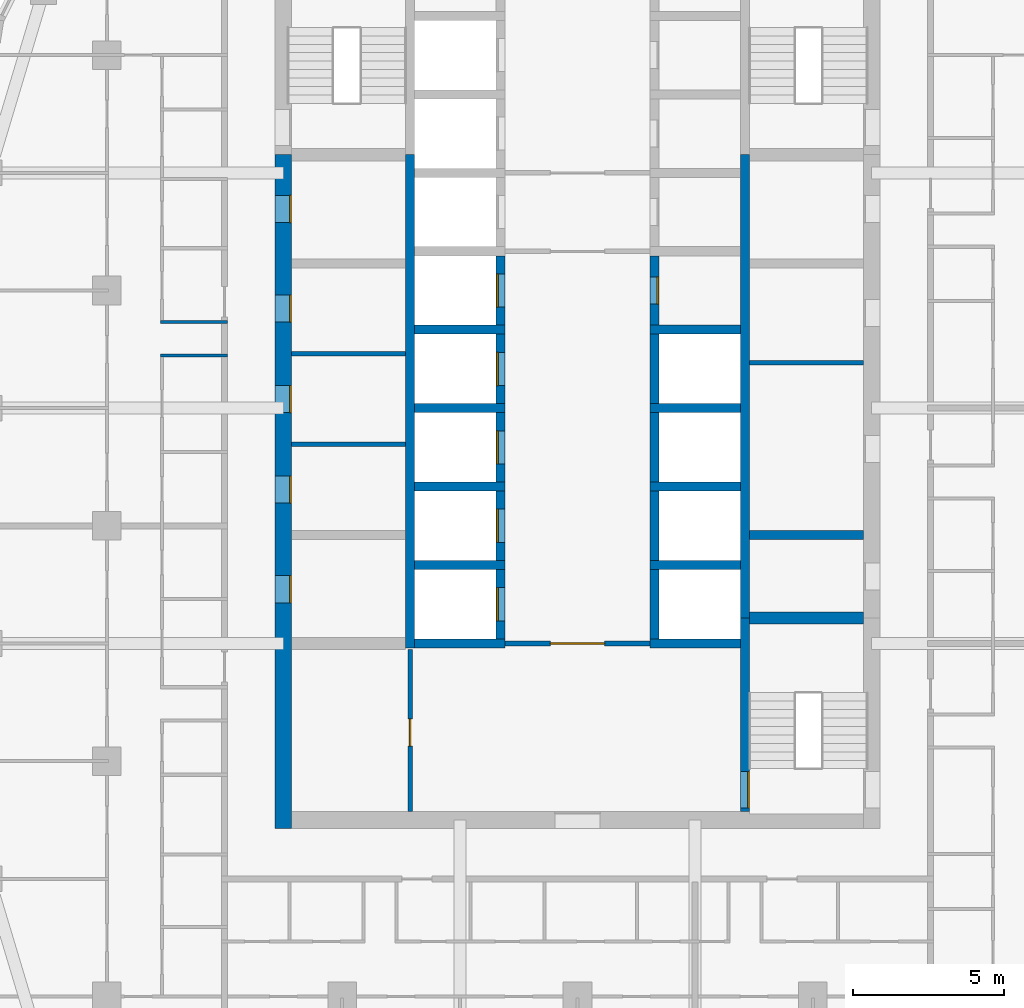
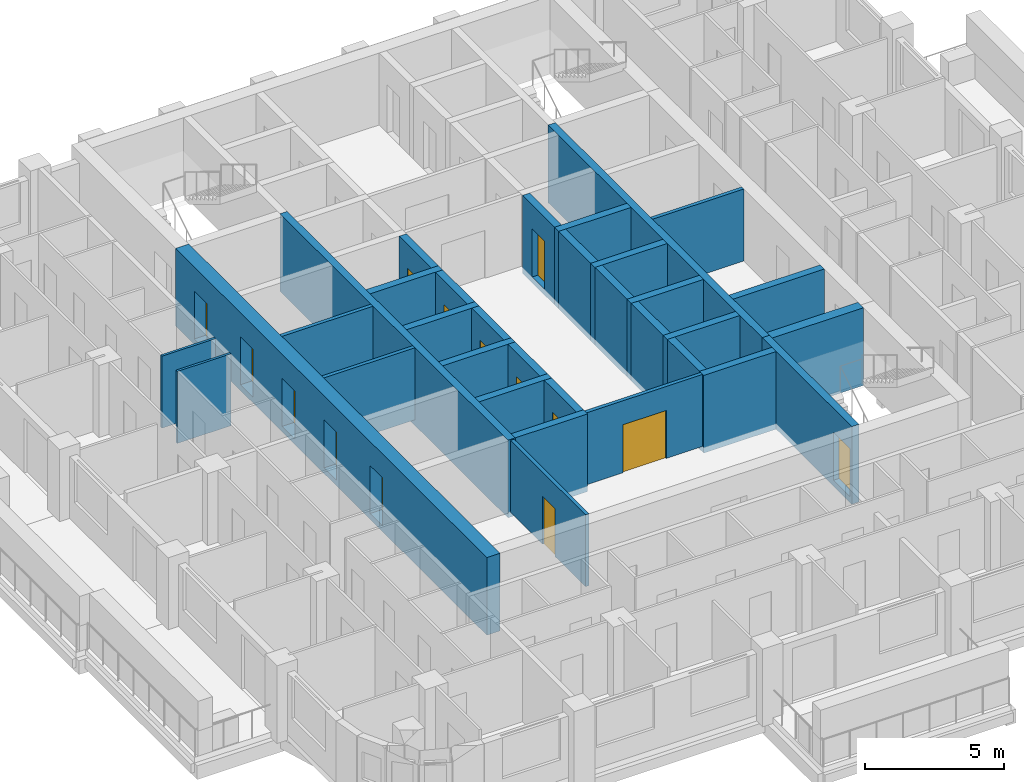
# One storey, part 5 of 14: 33 walls, 14 doors, 14 openings.
"""IFC4 building model written with IfcOpenShell, lengths in metres."""

from ifc_helpers import new_model, si_unit, direction, frame, frame_2d, origin, place, context, subcontext, project, spatial, rectangle, extrude, material, layer, layer_set, type_object, element, fill, save


model = new_model("IFC4")

# Units and contexts
model_context = context("Model", 3, precision=1e-05, world=origin(), true_north=direction((0.0, 1.0)))
body_context = subcontext(model_context, "Body", "Model", "MODEL_VIEW")
ifc_project = project(units=[si_unit("LENGTHUNIT", "METRE"), si_unit("AREAUNIT", "SQUARE_METRE"), si_unit("VOLUMEUNIT", "CUBIC_METRE"), si_unit("PLANEANGLEUNIT", "RADIAN"), si_unit("MASSUNIT", "GRAM", prefix="KILO")], contexts=[model_context])

# Site, building, storey
site_placement = place(None, origin())
site = spatial("IfcSite", under=ifc_project, at=site_placement, CompositionType="ELEMENT")
building_placement = place(site_placement, origin())
building = spatial("IfcBuilding", under=site, at=building_placement, Name="Ludao Terraces", CompositionType="ELEMENT")
storey_placement = place(building_placement, frame((0.0, 0.0, 103.300048828125)))
storey = spatial("IfcBuildingStorey", under=building, at=storey_placement, Name="L28", CompositionType="ELEMENT", Elevation=103.300048828125)

# Wall, openings, doors
ifc_material_1 = material(Name="Concrete C60", Category="concrete")
ifc_layer_1 = layer(ifc_material_1, 0.550048828125)
ifc_layer_set_1 = layer_set([ifc_layer_1], Name="Core wall 550 C60")
wall_type_1 = type_object("IfcWallType", Name="Core wall 550 C60", PredefinedType="SOLIDWALL", material=ifc_layer_set_1)
wall_1_placement = place(storey_placement, frame((75.25, 54.97509765625, -0.25), z_axis=(0.0, 0.0, 1.0), x_axis=(0.0, 1.0, 0.0)))
wall_1 = element("IfcWall", 1, at=wall_1_placement, inside=storey, type_object=wall_type_1, Name="Core wall L28 outer-W", PredefinedType="SOLIDWALL", context=body_context, shape_type="SweptSolid", body=[
    extrude(rectangle(XDim=22.324951171875, YDim=0.550048828125, at=frame_2d((11.16259765625, 0.0))), origin(), (0.0, 0.0, 1.0), 3.39990234375),
])
opening_1_placement = place(wall_1_placement, frame((7.47509765625, 0.0, 0.25)))
opening_1 = element("IfcOpeningElement", 2, at=opening_1_placement, cuts=wall_1, Name="Opening R08-046", PredefinedType="OPENING", context=body_context, shape_type="SweptSolid", body=[
    extrude(rectangle(XDim=0.89990234375, YDim=2.10009765625, at=frame_2d((0.449951171875, 1.050048828125))), frame((0.0, 0.28515625, 0.0), z_axis=(0.0, -1.0, 0.0), x_axis=(1.0, 0.0, 0.0)), (0.0, 0.0, 1.0), 0.570068359375),
])
opening_2_placement = place(wall_1_placement, frame((10.77490234375, 0.0, 0.25)))
opening_2 = element("IfcOpeningElement", 3, at=opening_2_placement, cuts=wall_1, Name="Opening R08-053", PredefinedType="OPENING", context=body_context, shape_type="SweptSolid", body=[
    extrude(rectangle(XDim=0.89990234375, YDim=2.10009765625, at=frame_2d((0.449951171875, 1.050048828125))), frame((0.0, 0.28515625, 0.0), z_axis=(0.0, -1.0, 0.0), x_axis=(1.0, 0.0, 0.0)), (0.0, 0.0, 1.0), 0.570068359375),
])
opening_3_placement = place(wall_1_placement, frame((13.77490234375, 0.0, 0.25)))
opening_3 = element("IfcOpeningElement", 4, at=opening_3_placement, cuts=wall_1, Name="Opening R08-062", PredefinedType="OPENING", context=body_context, shape_type="SweptSolid", body=[
    extrude(rectangle(XDim=0.89990234375, YDim=2.10009765625, at=frame_2d((0.449951171875, 1.050048828125))), frame((0.0, 0.28515625, 0.0), z_axis=(0.0, -1.0, 0.0), x_axis=(1.0, 0.0, 0.0)), (0.0, 0.0, 1.0), 0.570068359375),
])
opening_4_placement = place(wall_1_placement, frame((16.77490234375, 0.0, 0.25)))
opening_4 = element("IfcOpeningElement", 5, at=opening_4_placement, cuts=wall_1, Name="Opening R08-068", PredefinedType="OPENING", context=body_context, shape_type="SweptSolid", body=[
    extrude(rectangle(XDim=0.89990234375, YDim=2.10009765625, at=frame_2d((0.449951171875, 1.050048828125))), frame((0.0, 0.28515625, 0.0), z_axis=(0.0, -1.0, 0.0), x_axis=(1.0, 0.0, 0.0)), (0.0, 0.0, 1.0), 0.570068359375),
])
opening_5_placement = place(wall_1_placement, frame((20.074951171875, 0.0, 0.25)))
opening_5 = element("IfcOpeningElement", 6, at=opening_5_placement, cuts=wall_1, Name="Opening R08-080", PredefinedType="OPENING", context=body_context, shape_type="SweptSolid", body=[
    extrude(rectangle(XDim=0.89990234375, YDim=2.10009765625, at=frame_2d((0.449951171875, 1.050048828125))), frame((0.0, 0.28515625, 0.0), z_axis=(0.0, -1.0, 0.0), x_axis=(1.0, 0.0, 0.0)), (0.0, 0.0, 1.0), 0.570068359375),
])
ifc_material_2 = material(Name="Steel Q235", Category="steel")
door_type_1 = type_object("IfcDoorType", Name="INT Riser door 900", OperationType="SINGLE_SWING_LEFT", PredefinedType="DOOR", material=ifc_material_2)
door_1_placement = place(opening_1_placement, origin())
door_1 = element("IfcDoor", 7, at=door_1_placement, inside=storey, type_object=door_type_1, Name="DOOR 046", OperationType="SINGLE_SWING_RIGHT", OverallHeight=2.10009765625, OverallWidth=0.89990234375, PredefinedType="DOOR", context=body_context, shape_type="SweptSolid", body=[
    extrude(rectangle(XDim=0.89990234375, YDim=2.10009765625, at=frame_2d((0.449951171875, 1.050048828125))), frame((0.0, -0.2099609375, 0.0), z_axis=(0.0, -1.0, 0.0), x_axis=(1.0, 0.0, 0.0)), (0.0, 0.0, 1.0), 0.050048828125),
])
fill(opening_1, door_1)
door_2_placement = place(opening_5_placement, origin())
door_2 = element("IfcDoor", 8, at=door_2_placement, inside=storey, type_object=door_type_1, Name="DOOR 080", OperationType="SINGLE_SWING_LEFT", OverallHeight=2.10009765625, OverallWidth=0.89990234375, PredefinedType="DOOR", context=body_context, shape_type="SweptSolid", body=[
    extrude(rectangle(XDim=0.89990234375, YDim=2.10009765625, at=frame_2d((0.449951171875, 1.050048828125))), frame((0.0, -0.2099609375, 0.0), z_axis=(0.0, -1.0, 0.0), x_axis=(1.0, 0.0, 0.0)), (0.0, 0.0, 1.0), 0.050048828125),
])
fill(opening_5, door_2)
ifc_material_3 = material(Name="Timber door leaf", Category="wood")
door_type_2 = type_object("IfcDoorType", Name="INT Room door 900", OperationType="SINGLE_SWING_LEFT", PredefinedType="DOOR", material=ifc_material_3)
door_3_placement = place(opening_2_placement, origin())
door_3 = element("IfcDoor", 9, at=door_3_placement, inside=storey, type_object=door_type_2, Name="DOOR 053", OperationType="SINGLE_SWING_RIGHT", OverallHeight=2.10009765625, OverallWidth=0.89990234375, PredefinedType="DOOR", context=body_context, shape_type="SweptSolid", body=[
    extrude(rectangle(XDim=0.89990234375, YDim=2.10009765625, at=frame_2d((0.449951171875, 1.050048828125))), frame((0.0, -0.2099609375, 0.0), z_axis=(0.0, -1.0, 0.0), x_axis=(1.0, 0.0, 0.0)), (0.0, 0.0, 1.0), 0.050048828125),
])
fill(opening_2, door_3)
door_4_placement = place(opening_3_placement, origin())
door_4 = element("IfcDoor", 10, at=door_4_placement, inside=storey, type_object=door_type_2, Name="DOOR 062", OperationType="SINGLE_SWING_LEFT", OverallHeight=2.10009765625, OverallWidth=0.89990234375, PredefinedType="DOOR", context=body_context, shape_type="SweptSolid", body=[
    extrude(rectangle(XDim=0.89990234375, YDim=2.10009765625, at=frame_2d((0.449951171875, 1.050048828125))), frame((0.0, -0.2099609375, 0.0), z_axis=(0.0, -1.0, 0.0), x_axis=(1.0, 0.0, 0.0)), (0.0, 0.0, 1.0), 0.050048828125),
])
fill(opening_3, door_4)
door_5_placement = place(opening_4_placement, origin())
door_5 = element("IfcDoor", 11, at=door_5_placement, inside=storey, type_object=door_type_2, Name="DOOR 068", OperationType="SINGLE_SWING_LEFT", OverallHeight=2.10009765625, OverallWidth=0.89990234375, PredefinedType="DOOR", context=body_context, shape_type="SweptSolid", body=[
    extrude(rectangle(XDim=0.89990234375, YDim=2.10009765625, at=frame_2d((0.449951171875, 1.050048828125))), frame((0.0, -0.2099609375, 0.0), z_axis=(0.0, -1.0, 0.0), x_axis=(1.0, 0.0, 0.0)), (0.0, 0.0, 1.0), 0.050048828125),
])
fill(opening_4, door_5)

# Wall, opening, door
ifc_material_4 = material(Name="Fire-rated gypsum plasterboard", Category="gypsum")
ifc_layer_2 = layer(ifc_material_4, 0.012451171875, Category="gypsum")
ifc_material_5 = material(Name="Mineral wool")
ifc_layer_3 = layer(ifc_material_5, 0.10009765625, Name="insulation")
ifc_layer_4 = layer(ifc_material_2, 0.02490234375, Name="stud")
ifc_layer_5 = layer(ifc_material_4, 0.012451171875, Category="gypsum")
ifc_layer_set_2 = layer_set([ifc_layer_2, ifc_layer_3, ifc_layer_4, ifc_layer_5], Name="INT Core partition 150")
wall_type_2 = type_object("IfcWallType", Name="INT Core partition 150", PredefinedType="PARTITIONING", material=ifc_layer_set_2)
wall_2_placement = place(storey_placement, frame((82.60009765625, 61.10009765625, 0.0), z_axis=(0.0, 0.0, 1.0), x_axis=(1.0, 0.0, 0.0)))
wall_2 = element("IfcWall", 12, at=wall_2_placement, inside=storey, type_object=wall_type_2, Name="PW-L28-PW019", PredefinedType="PARTITIONING", context=body_context, shape_type="SweptSolid", body=[
    extrude(rectangle(XDim=4.800048828125, YDim=0.14990234375, at=frame_2d((2.39990234375, 0.0))), origin(), (0.0, 0.0, 1.0), 3.14990234375),
])
opening_6_placement = place(wall_2_placement, frame((1.5, 0.0, 0.0)))
opening_6 = element("IfcOpeningElement", 13, at=opening_6_placement, cuts=wall_2, Name="Opening R08-042", PredefinedType="OPENING", context=body_context, shape_type="SweptSolid", body=[
    extrude(rectangle(XDim=1.800048828125, YDim=2.10009765625, at=frame_2d((0.89990234375, 1.050048828125))), frame((0.0, 0.0849609375, 0.0), z_axis=(0.0, -1.0, 0.0), x_axis=(1.0, 0.0, 0.0)), (0.0, 0.0, 1.0), 0.169921875),
])
door_type_3 = type_object("IfcDoorType", Name="INT Fire lobby door 1800", OperationType="DOUBLE_DOOR_SINGLE_SWING", PredefinedType="DOOR", material=ifc_material_2)
door_6_placement = place(opening_6_placement, origin())
door_6 = element("IfcDoor", 14, at=door_6_placement, inside=storey, type_object=door_type_3, Name="DOOR 042", OperationType="DOUBLE_DOOR_SINGLE_SWING", OverallHeight=2.10009765625, OverallWidth=1.800048828125, PredefinedType="DOOR", context=body_context, shape_type="SweptSolid", body=[
    extrude(rectangle(XDim=1.800048828125, YDim=2.10009765625, at=frame_2d((0.89990234375, 1.050048828125))), frame((0.0, 0.02490234375, 0.0), z_axis=(0.0, -1.0, 0.0), x_axis=(1.0, 0.0, 0.0)), (0.0, 0.0, 1.0), 0.050048828125),
])
fill(opening_6, door_6)

# Walls
for number, where, z_axis, x_axis, name in (
    (15, (75.525146484375, 67.699951171875, 0.0), (0.0, 0.0, 1.0), (1.0, 0.0, 0.0), "PW-L28-PW028"),
    (16, (90.7001953125, 70.39990234375, 0.0), (0.0, 0.0, 1.0), (1.0, 0.0, 0.0), "PW-L28-PW031"),
    (17, (75.525146484375, 70.699951171875, 0.0), (0.0, 0.0, 1.0), (1.0, 0.0, 0.0), "PW-L28-PW033"),
):
    element("IfcWall", number, at=place(storey_placement, frame(where, z_axis=z_axis, x_axis=x_axis)), inside=storey, type_object=wall_type_2, Name=name, PredefinedType="PARTITIONING", context=body_context, shape_type="SweptSolid", body=[
        extrude(rectangle(XDim=3.77490234375, YDim=0.14990234375, at=frame_2d((1.887451171875, 0.0))), origin(), (0.0, 0.0, 1.0), 3.14990234375),
    ])

# Wall, opening, door
wall_3_placement = place(storey_placement, frame((79.449951171875, 55.525146484375, 0.0), z_axis=(0.0, 0.0, 1.0), x_axis=(0.0, 1.0, 0.0)))
wall_3 = element("IfcWall", 18, at=wall_3_placement, inside=storey, type_object=wall_type_2, Name="PW-L28-PW060", PredefinedType="PARTITIONING", context=body_context, shape_type="SweptSolid", body=[
    extrude(rectangle(XDim=5.375, YDim=0.14990234375, at=frame_2d((2.6875, 0.0))), origin(), (0.0, 0.0, 1.0), 3.14990234375),
])
opening_7_placement = place(wall_3_placement, frame((2.175048828125, 0.0, 0.0)))
opening_7 = element("IfcOpeningElement", 19, at=opening_7_placement, cuts=wall_3, Name="Opening R08-036", PredefinedType="OPENING", context=body_context, shape_type="SweptSolid", body=[
    extrude(rectangle(XDim=0.89990234375, YDim=2.10009765625, at=frame_2d((0.449951171875, 1.050048828125))), frame((0.0, 0.0849609375, 0.0), z_axis=(0.0, -1.0, 0.0), x_axis=(1.0, 0.0, 0.0)), (0.0, 0.0, 1.0), 0.169921875),
])
door_7_placement = place(opening_7_placement, origin())
door_7 = element("IfcDoor", 20, at=door_7_placement, inside=storey, type_object=door_type_2, Name="DOOR 036", OperationType="SINGLE_SWING_LEFT", OverallHeight=2.10009765625, OverallWidth=0.89990234375, PredefinedType="DOOR", context=body_context, shape_type="SweptSolid", body=[
    extrude(rectangle(XDim=0.89990234375, YDim=2.10009765625, at=frame_2d((0.449951171875, 1.050048828125))), frame((0.0, 0.02490234375, 0.0), z_axis=(0.0, -1.0, 0.0), x_axis=(1.0, 0.0, 0.0)), (0.0, 0.0, 1.0), 0.050048828125),
])
fill(opening_7, door_7)

# Walls
ifc_material_6 = material(Name="Gypsum plasterboard", Category="gypsum")
ifc_layer_6 = layer(ifc_material_6, 0.012451171875, Category="gypsum")
ifc_layer_7 = layer(ifc_material_5, 0.06005859375, Name="insulation")
ifc_layer_8 = layer(ifc_material_2, 0.014892578125, Name="stud")
ifc_layer_9 = layer(ifc_material_6, 0.012451171875, Category="gypsum")
ifc_layer_set_3 = layer_set([ifc_layer_6, ifc_layer_7, ifc_layer_8, ifc_layer_9], Name="INT Partition 100")
wall_type_3 = type_object("IfcWallType", Name="INT Partition 100", PredefinedType="PARTITIONING", material=ifc_layer_set_3)
for number, where, z_axis, x_axis, name in (
    (21, (71.18017578125, 70.64990234375, 0.0), (0.0, 0.0, 1.0), (1.0, 0.0, 0.0), "PW-L28-PW032"),
    (22, (71.18017578125, 71.75, 0.0), (0.0, 0.0, 1.0), (1.0, 0.0, 0.0), "PW-L28-PW034"),
):
    element("IfcWall", number, at=place(storey_placement, frame(where, z_axis=z_axis, x_axis=x_axis)), inside=storey, type_object=wall_type_3, Name=name, PredefinedType="PARTITIONING", context=body_context, shape_type="SweptSolid", body=[
        extrude(rectangle(XDim=2.219970703125, YDim=0.10009765625, at=frame_2d((1.10986328125, 0.0))), origin(), (0.0, 0.0, 1.0), 3.14990234375),
    ])
ifc_material_7 = material(Name="Concrete C55", Category="concrete")
ifc_layer_10 = layer(ifc_material_7, 0.300048828125)
ifc_layer_set_4 = layer_set([ifc_layer_10], Name="Shaft wall 300 C55")
wall_type_4 = type_object("IfcWallType", Name="Shaft wall 300 C55", PredefinedType="SOLIDWALL", material=ifc_layer_set_4)
wall_4_placement = place(storey_placement, frame((79.449951171875, 60.949951171875, -0.25), z_axis=(0.0, 0.0, 1.0), x_axis=(0.0, 1.0, 0.0)))
element("IfcWall", 23, at=wall_4_placement, inside=storey, type_object=wall_type_4, Name="Core wall L28 back-W", PredefinedType="SOLIDWALL", context=body_context, shape_type="SweptSolid", body=[
    extrude(rectangle(XDim=16.35009765625, YDim=0.300048828125, at=frame_2d((8.175048828125, 0.0))), origin(), (0.0, 0.0, 1.0), 3.39990234375),
])

# Wall, opening, door
wall_5_placement = place(storey_placement, frame((90.550048828125, 55.52490234375, -0.25), z_axis=(0.0, 0.0, 1.0), x_axis=(0.0, 1.0, 0.0)))
wall_5 = element("IfcWall", 24, at=wall_5_placement, inside=storey, type_object=wall_type_4, Name="Core wall L28 back-E-S3", PredefinedType="SOLIDWALL", context=body_context, shape_type="SweptSolid", body=[
    extrude(rectangle(XDim=6.425048828125, YDim=0.300048828125, at=frame_2d((3.21240234375, 0.0))), origin(), (0.0, 0.0, 1.0), 3.39990234375),
])
opening_8_placement = place(wall_5_placement, frame((0.125, 0.0, 0.25)))
opening_8 = element("IfcOpeningElement", 25, at=opening_8_placement, cuts=wall_5, Name="Opening R08-033", PredefinedType="OPENING", context=body_context, shape_type="SweptSolid", body=[
    extrude(rectangle(XDim=1.199951171875, YDim=2.10009765625, at=frame_2d((0.60009765625, 1.050048828125))), frame((0.0, 0.16015625, 0.0), z_axis=(0.0, -1.0, 0.0), x_axis=(1.0, 0.0, 0.0)), (0.0, 0.0, 1.0), 0.320068359375),
])
door_type_4 = type_object("IfcDoorType", Name="INT Stair door 1200", OperationType="DOUBLE_DOOR_SINGLE_SWING", PredefinedType="DOOR", material=ifc_material_2)
door_8_placement = place(opening_8_placement, origin())
door_8 = element("IfcDoor", 26, at=door_8_placement, inside=storey, type_object=door_type_4, Name="DOOR 033", OperationType="DOUBLE_DOOR_SINGLE_SWING", OverallHeight=2.10009765625, OverallWidth=1.199951171875, PredefinedType="DOOR", context=body_context, shape_type="SweptSolid", body=[
    extrude(rectangle(XDim=1.199951171875, YDim=2.10009765625, at=frame_2d((0.60009765625, 1.050048828125))), frame((0.0, -0.0849609375, 0.0), z_axis=(0.0, -1.0, 0.0), x_axis=(1.0, 0.0, 0.0)), (0.0, 0.0, 1.0), 0.050048828125),
])
fill(opening_8, door_8)

# Walls
wall_6_placement = place(storey_placement, frame((90.550048828125, 61.949951171875, -0.25), z_axis=(0.0, 0.0, 1.0), x_axis=(0.0, 1.0, 0.0)))
element("IfcWall", 27, at=wall_6_placement, inside=storey, type_object=wall_type_4, Name="Core wall L28 back-E", PredefinedType="SOLIDWALL", context=body_context, shape_type="SweptSolid", body=[
    extrude(rectangle(XDim=15.35009765625, YDim=0.300048828125, at=frame_2d((7.675048828125, 0.0))), origin(), (0.0, 0.0, 1.0), 3.39990234375),
])
wall_7_placement = place(storey_placement, frame((79.60009765625, 61.10009765625, -0.25), z_axis=(0.0, 0.0, 1.0), x_axis=(1.0, 0.0, 0.0)))
element("IfcWall", 28, at=wall_7_placement, inside=storey, type_object=wall_type_4, Name="Core wall L28 div-W1", PredefinedType="SOLIDWALL", context=body_context, shape_type="SweptSolid", body=[
    extrude(rectangle(XDim=3.0, YDim=0.300048828125, at=frame_2d((1.5, 0.0))), origin(), (0.0, 0.0, 1.0), 3.39990234375),
])

# Wall, opening, door
wall_8_placement = place(storey_placement, frame((82.449951171875, 61.25, -0.25), z_axis=(0.0, 0.0, 1.0), x_axis=(0.0, 1.0, 0.0)))
wall_8 = element("IfcWall", 29, at=wall_8_placement, inside=storey, type_object=wall_type_4, Name="Core wall L28 front-W1", PredefinedType="SOLIDWALL", context=body_context, shape_type="SweptSolid", body=[
    extrude(rectangle(XDim=2.300048828125, YDim=0.300048828125, at=frame_2d((1.14990234375, 0.0))), origin(), (0.0, 0.0, 1.0), 3.39990234375),
])
opening_9_placement = place(wall_8_placement, frame((0.60009765625, 0.0, 0.25)))
opening_9 = element("IfcOpeningElement", 30, at=opening_9_placement, cuts=wall_8, Name="Opening LD-LA1", PredefinedType="OPENING", context=body_context, shape_type="SweptSolid", body=[
    extrude(rectangle(XDim=1.10009765625, YDim=2.10009765625, at=frame_2d((0.550048828125, 1.050048828125))), frame((0.0, 0.16015625, 0.0), z_axis=(0.0, -1.0, 0.0), x_axis=(1.0, 0.0, 0.0)), (0.0, 0.0, 1.0), 0.320068359375),
])
ifc_material_8 = material(Name="Stainless steel 304", Category="steel")
door_type_5 = type_object("IfcDoorType", Name="INT Lift landing door 1100", OperationType="SLIDING_TO_LEFT", PredefinedType="DOOR", material=ifc_material_8)
door_9_placement = place(opening_9_placement, origin())
door_9 = element("IfcDoor", 31, at=door_9_placement, inside=storey, type_object=door_type_5, Name="LANDING DOOR LA1 L28", OperationType="SLIDING_TO_RIGHT", OverallHeight=2.10009765625, OverallWidth=1.10009765625, PredefinedType="DOOR", context=body_context, shape_type="SweptSolid", body=[
    extrude(rectangle(XDim=1.10009765625, YDim=2.10009765625, at=frame_2d((0.550048828125, 1.050048828125))), frame((0.0, 0.13525390625, 0.0), z_axis=(0.0, -1.0, 0.0), x_axis=(1.0, 0.0, 0.0)), (0.0, 0.0, 1.0), 0.050048828125),
])
fill(opening_9, door_9)

# Wall
wall_9_placement = place(storey_placement, frame((79.60009765625, 63.699951171875, -0.25), z_axis=(0.0, 0.0, 1.0), x_axis=(1.0, 0.0, 0.0)))
element("IfcWall", 32, at=wall_9_placement, inside=storey, type_object=wall_type_4, Name="Core wall L28 div-W2", PredefinedType="SOLIDWALL", context=body_context, shape_type="SweptSolid", body=[
    extrude(rectangle(XDim=3.0, YDim=0.300048828125, at=frame_2d((1.5, 0.0))), origin(), (0.0, 0.0, 1.0), 3.39990234375),
])

# Wall, opening, door
wall_10_placement = place(storey_placement, frame((82.449951171875, 63.85009765625, -0.25), z_axis=(0.0, 0.0, 1.0), x_axis=(0.0, 1.0, 0.0)))
wall_10 = element("IfcWall", 33, at=wall_10_placement, inside=storey, type_object=wall_type_4, Name="Core wall L28 front-W2", PredefinedType="SOLIDWALL", context=body_context, shape_type="SweptSolid", body=[
    extrude(rectangle(XDim=2.2998046875, YDim=0.300048828125, at=frame_2d((1.14990234375, 0.0))), origin(), (0.0, 0.0, 1.0), 3.39990234375),
])
opening_10_placement = place(wall_10_placement, frame((0.60009765625, 0.0, 0.25)))
opening_10 = element("IfcOpeningElement", 34, at=opening_10_placement, cuts=wall_10, Name="Opening LD-LA2", PredefinedType="OPENING", context=body_context, shape_type="SweptSolid", body=[
    extrude(rectangle(XDim=1.10009765625, YDim=2.10009765625, at=frame_2d((0.550048828125, 1.050048828125))), frame((0.0, 0.16015625, 0.0), z_axis=(0.0, -1.0, 0.0), x_axis=(1.0, 0.0, 0.0)), (0.0, 0.0, 1.0), 0.320068359375),
])
door_10_placement = place(opening_10_placement, origin())
door_10 = element("IfcDoor", 35, at=door_10_placement, inside=storey, type_object=door_type_5, Name="LANDING DOOR LA2 L28", OperationType="SLIDING_TO_RIGHT", OverallHeight=2.10009765625, OverallWidth=1.10009765625, PredefinedType="DOOR", context=body_context, shape_type="SweptSolid", body=[
    extrude(rectangle(XDim=1.10009765625, YDim=2.10009765625, at=frame_2d((0.550048828125, 1.050048828125))), frame((0.0, 0.13525390625, 0.0), z_axis=(0.0, -1.0, 0.0), x_axis=(1.0, 0.0, 0.0)), (0.0, 0.0, 1.0), 0.050048828125),
])
fill(opening_10, door_10)

# Wall
wall_11_placement = place(storey_placement, frame((79.60009765625, 66.300048828125, -0.25), z_axis=(0.0, 0.0, 1.0), x_axis=(1.0, 0.0, 0.0)))
element("IfcWall", 36, at=wall_11_placement, inside=storey, type_object=wall_type_4, Name="Core wall L28 div-W3", PredefinedType="SOLIDWALL", context=body_context, shape_type="SweptSolid", body=[
    extrude(rectangle(XDim=3.0, YDim=0.300048828125, at=frame_2d((1.5, 0.0))), origin(), (0.0, 0.0, 1.0), 3.39990234375),
])

# Wall, opening, door
wall_12_placement = place(storey_placement, frame((82.449951171875, 66.449951171875, -0.25), z_axis=(0.0, 0.0, 1.0), x_axis=(0.0, 1.0, 0.0)))
wall_12 = element("IfcWall", 37, at=wall_12_placement, inside=storey, type_object=wall_type_4, Name="Core wall L28 front-W3", PredefinedType="SOLIDWALL", context=body_context, shape_type="SweptSolid", body=[
    extrude(rectangle(XDim=2.300048828125, YDim=0.300048828125, at=frame_2d((1.14990234375, 0.0))), origin(), (0.0, 0.0, 1.0), 3.39990234375),
])
opening_11_placement = place(wall_12_placement, frame((0.60009765625, 0.0, 0.25)))
opening_11 = element("IfcOpeningElement", 38, at=opening_11_placement, cuts=wall_12, Name="Opening LD-LA3", PredefinedType="OPENING", context=body_context, shape_type="SweptSolid", body=[
    extrude(rectangle(XDim=1.10009765625, YDim=2.10009765625, at=frame_2d((0.550048828125, 1.050048828125))), frame((0.0, 0.16015625, 0.0), z_axis=(0.0, -1.0, 0.0), x_axis=(1.0, 0.0, 0.0)), (0.0, 0.0, 1.0), 0.320068359375),
])
door_11_placement = place(opening_11_placement, origin())
door_11 = element("IfcDoor", 39, at=door_11_placement, inside=storey, type_object=door_type_5, Name="LANDING DOOR LA3 L28", OperationType="SLIDING_TO_RIGHT", OverallHeight=2.10009765625, OverallWidth=1.10009765625, PredefinedType="DOOR", context=body_context, shape_type="SweptSolid", body=[
    extrude(rectangle(XDim=1.10009765625, YDim=2.10009765625, at=frame_2d((0.550048828125, 1.050048828125))), frame((0.0, 0.13525390625, 0.0), z_axis=(0.0, -1.0, 0.0), x_axis=(1.0, 0.0, 0.0)), (0.0, 0.0, 1.0), 0.050048828125),
])
fill(opening_11, door_11)

# Wall
wall_13_placement = place(storey_placement, frame((79.60009765625, 68.89990234375, -0.25), z_axis=(0.0, 0.0, 1.0), x_axis=(1.0, 0.0, 0.0)))
element("IfcWall", 40, at=wall_13_placement, inside=storey, type_object=wall_type_4, Name="Core wall L28 div-W4", PredefinedType="SOLIDWALL", context=body_context, shape_type="SweptSolid", body=[
    extrude(rectangle(XDim=3.0, YDim=0.300048828125, at=frame_2d((1.5, 0.0))), origin(), (0.0, 0.0, 1.0), 3.39990234375),
])

# Wall, opening, door
wall_14_placement = place(storey_placement, frame((82.449951171875, 69.050048828125, -0.25), z_axis=(0.0, 0.0, 1.0), x_axis=(0.0, 1.0, 0.0)))
wall_14 = element("IfcWall", 41, at=wall_14_placement, inside=storey, type_object=wall_type_4, Name="Core wall L28 front-W4", PredefinedType="SOLIDWALL", context=body_context, shape_type="SweptSolid", body=[
    extrude(rectangle(XDim=2.300048828125, YDim=0.300048828125, at=frame_2d((1.14990234375, 0.0))), origin(), (0.0, 0.0, 1.0), 3.39990234375),
])
opening_12_placement = place(wall_14_placement, frame((0.60009765625, 0.0, 0.25)))
opening_12 = element("IfcOpeningElement", 42, at=opening_12_placement, cuts=wall_14, Name="Opening LD-LA4", PredefinedType="OPENING", context=body_context, shape_type="SweptSolid", body=[
    extrude(rectangle(XDim=1.10009765625, YDim=2.10009765625, at=frame_2d((0.550048828125, 1.050048828125))), frame((0.0, 0.16015625, 0.0), z_axis=(0.0, -1.0, 0.0), x_axis=(1.0, 0.0, 0.0)), (0.0, 0.0, 1.0), 0.320068359375),
])
door_12_placement = place(opening_12_placement, origin())
door_12 = element("IfcDoor", 43, at=door_12_placement, inside=storey, type_object=door_type_5, Name="LANDING DOOR LA4 L28", OperationType="SLIDING_TO_LEFT", OverallHeight=2.10009765625, OverallWidth=1.10009765625, PredefinedType="DOOR", context=body_context, shape_type="SweptSolid", body=[
    extrude(rectangle(XDim=1.10009765625, YDim=2.10009765625, at=frame_2d((0.550048828125, 1.050048828125))), frame((0.0, 0.13525390625, 0.0), z_axis=(0.0, -1.0, 0.0), x_axis=(1.0, 0.0, 0.0)), (0.0, 0.0, 1.0), 0.050048828125),
])
fill(opening_12, door_12)

# Wall
wall_15_placement = place(storey_placement, frame((79.60009765625, 71.5, -0.25), z_axis=(0.0, 0.0, 1.0), x_axis=(1.0, 0.0, 0.0)))
element("IfcWall", 44, at=wall_15_placement, inside=storey, type_object=wall_type_4, Name="Core wall L28 div-W5", PredefinedType="SOLIDWALL", context=body_context, shape_type="SweptSolid", body=[
    extrude(rectangle(XDim=3.0, YDim=0.300048828125, at=frame_2d((1.5, 0.0))), origin(), (0.0, 0.0, 1.0), 3.39990234375),
])

# Wall, opening, door
wall_16_placement = place(storey_placement, frame((82.449951171875, 71.64990234375, -0.25), z_axis=(0.0, 0.0, 1.0), x_axis=(0.0, 1.0, 0.0)))
wall_16 = element("IfcWall", 45, at=wall_16_placement, inside=storey, type_object=wall_type_4, Name="Core wall L28 front-W5", PredefinedType="SOLIDWALL", context=body_context, shape_type="SweptSolid", body=[
    extrude(rectangle(XDim=2.300048828125, YDim=0.300048828125, at=frame_2d((1.14990234375, 0.0))), origin(), (0.0, 0.0, 1.0), 3.39990234375),
])
opening_13_placement = place(wall_16_placement, frame((0.60009765625, 0.0, 0.25)))
opening_13 = element("IfcOpeningElement", 46, at=opening_13_placement, cuts=wall_16, Name="Opening LD-LA5", PredefinedType="OPENING", context=body_context, shape_type="SweptSolid", body=[
    extrude(rectangle(XDim=1.10009765625, YDim=2.10009765625, at=frame_2d((0.550048828125, 1.050048828125))), frame((0.0, 0.16015625, 0.0), z_axis=(0.0, -1.0, 0.0), x_axis=(1.0, 0.0, 0.0)), (0.0, 0.0, 1.0), 0.320068359375),
])
door_13_placement = place(opening_13_placement, origin())
door_13 = element("IfcDoor", 47, at=door_13_placement, inside=storey, type_object=door_type_5, Name="LANDING DOOR LA5 L28", OperationType="SLIDING_TO_LEFT", OverallHeight=2.10009765625, OverallWidth=1.10009765625, PredefinedType="DOOR", context=body_context, shape_type="SweptSolid", body=[
    extrude(rectangle(XDim=1.10009765625, YDim=2.10009765625, at=frame_2d((0.550048828125, 1.050048828125))), frame((0.0, 0.13525390625, 0.0), z_axis=(0.0, -1.0, 0.0), x_axis=(1.0, 0.0, 0.0)), (0.0, 0.0, 1.0), 0.050048828125),
])
fill(opening_13, door_13)

# Walls
wall_17_placement = place(storey_placement, frame((87.39990234375, 61.10009765625, -0.25), z_axis=(0.0, 0.0, 1.0), x_axis=(1.0, 0.0, 0.0)))
element("IfcWall", 48, at=wall_17_placement, inside=storey, type_object=wall_type_4, Name="Core wall L28 div-E1", PredefinedType="SOLIDWALL", context=body_context, shape_type="SweptSolid", body=[
    extrude(rectangle(XDim=3.0, YDim=0.300048828125, at=frame_2d((1.5, 0.0))), origin(), (0.0, 0.0, 1.0), 3.39990234375),
])
wall_18_placement = place(storey_placement, frame((87.550048828125, 61.25, -0.25), z_axis=(0.0, 0.0, 1.0), x_axis=(0.0, 1.0, 0.0)))
element("IfcWall", 49, at=wall_18_placement, inside=storey, type_object=wall_type_4, Name="Core wall L28 front-E1", PredefinedType="SOLIDWALL", context=body_context, shape_type="SweptSolid", body=[
    extrude(rectangle(XDim=2.300048828125, YDim=0.300048828125, at=frame_2d((1.14990234375, 0.0))), origin(), (0.0, 0.0, 1.0), 3.39990234375),
])
wall_19_placement = place(storey_placement, frame((87.39990234375, 63.699951171875, -0.25), z_axis=(0.0, 0.0, 1.0), x_axis=(1.0, 0.0, 0.0)))
element("IfcWall", 50, at=wall_19_placement, inside=storey, type_object=wall_type_4, Name="Core wall L28 div-E2", PredefinedType="SOLIDWALL", context=body_context, shape_type="SweptSolid", body=[
    extrude(rectangle(XDim=3.0, YDim=0.300048828125, at=frame_2d((1.5, 0.0))), origin(), (0.0, 0.0, 1.0), 3.39990234375),
])
wall_20_placement = place(storey_placement, frame((87.550048828125, 63.85009765625, -0.25), z_axis=(0.0, 0.0, 1.0), x_axis=(0.0, 1.0, 0.0)))
element("IfcWall", 51, at=wall_20_placement, inside=storey, type_object=wall_type_4, Name="Core wall L28 front-E2", PredefinedType="SOLIDWALL", context=body_context, shape_type="SweptSolid", body=[
    extrude(rectangle(XDim=2.2998046875, YDim=0.300048828125, at=frame_2d((1.14990234375, 0.0))), origin(), (0.0, 0.0, 1.0), 3.39990234375),
])
wall_21_placement = place(storey_placement, frame((87.39990234375, 66.300048828125, -0.25), z_axis=(0.0, 0.0, 1.0), x_axis=(1.0, 0.0, 0.0)))
element("IfcWall", 52, at=wall_21_placement, inside=storey, type_object=wall_type_4, Name="Core wall L28 div-E3", PredefinedType="SOLIDWALL", context=body_context, shape_type="SweptSolid", body=[
    extrude(rectangle(XDim=3.0, YDim=0.300048828125, at=frame_2d((1.5, 0.0))), origin(), (0.0, 0.0, 1.0), 3.39990234375),
])
wall_22_placement = place(storey_placement, frame((87.550048828125, 66.449951171875, -0.25), z_axis=(0.0, 0.0, 1.0), x_axis=(0.0, 1.0, 0.0)))
element("IfcWall", 53, at=wall_22_placement, inside=storey, type_object=wall_type_4, Name="Core wall L28 front-E3", PredefinedType="SOLIDWALL", context=body_context, shape_type="SweptSolid", body=[
    extrude(rectangle(XDim=2.300048828125, YDim=0.300048828125, at=frame_2d((1.14990234375, 0.0))), origin(), (0.0, 0.0, 1.0), 3.39990234375),
])
wall_23_placement = place(storey_placement, frame((87.39990234375, 68.89990234375, -0.25), z_axis=(0.0, 0.0, 1.0), x_axis=(1.0, 0.0, 0.0)))
element("IfcWall", 54, at=wall_23_placement, inside=storey, type_object=wall_type_4, Name="Core wall L28 div-E4", PredefinedType="SOLIDWALL", context=body_context, shape_type="SweptSolid", body=[
    extrude(rectangle(XDim=3.0, YDim=0.300048828125, at=frame_2d((1.5, 0.0))), origin(), (0.0, 0.0, 1.0), 3.39990234375),
])
wall_24_placement = place(storey_placement, frame((87.550048828125, 69.050048828125, -0.25), z_axis=(0.0, 0.0, 1.0), x_axis=(0.0, 1.0, 0.0)))
element("IfcWall", 55, at=wall_24_placement, inside=storey, type_object=wall_type_4, Name="Core wall L28 front-E4", PredefinedType="SOLIDWALL", context=body_context, shape_type="SweptSolid", body=[
    extrude(rectangle(XDim=2.300048828125, YDim=0.300048828125, at=frame_2d((1.14990234375, 0.0))), origin(), (0.0, 0.0, 1.0), 3.39990234375),
])
wall_25_placement = place(storey_placement, frame((87.39990234375, 71.5, -0.25), z_axis=(0.0, 0.0, 1.0), x_axis=(1.0, 0.0, 0.0)))
element("IfcWall", 56, at=wall_25_placement, inside=storey, type_object=wall_type_4, Name="Core wall L28 div-E5", PredefinedType="SOLIDWALL", context=body_context, shape_type="SweptSolid", body=[
    extrude(rectangle(XDim=3.0, YDim=0.300048828125, at=frame_2d((1.5, 0.0))), origin(), (0.0, 0.0, 1.0), 3.39990234375),
])

# Wall, opening, door
wall_26_placement = place(storey_placement, frame((87.550048828125, 71.64990234375, -0.25), z_axis=(0.0, 0.0, 1.0), x_axis=(0.0, 1.0, 0.0)))
wall_26 = element("IfcWall", 57, at=wall_26_placement, inside=storey, type_object=wall_type_4, Name="Core wall L28 front-E5", PredefinedType="SOLIDWALL", context=body_context, shape_type="SweptSolid", body=[
    extrude(rectangle(XDim=2.300048828125, YDim=0.300048828125, at=frame_2d((1.14990234375, 0.0))), origin(), (0.0, 0.0, 1.0), 3.39990234375),
])
opening_14_placement = place(wall_26_placement, frame((0.699951171875, 0.0, 0.25)))
opening_14 = element("IfcOpeningElement", 58, at=opening_14_placement, cuts=wall_26, Name="Opening R08-071", PredefinedType="OPENING", context=body_context, shape_type="SweptSolid", body=[
    extrude(rectangle(XDim=0.89990234375, YDim=2.10009765625, at=frame_2d((0.449951171875, 1.050048828125))), frame((0.0, 0.16015625, 0.0), z_axis=(0.0, -1.0, 0.0), x_axis=(1.0, 0.0, 0.0)), (0.0, 0.0, 1.0), 0.320068359375),
])
door_14_placement = place(opening_14_placement, origin())
door_14 = element("IfcDoor", 59, at=door_14_placement, inside=storey, type_object=door_type_2, Name="DOOR 071", OperationType="SINGLE_SWING_RIGHT", OverallHeight=2.10009765625, OverallWidth=0.89990234375, PredefinedType="DOOR", context=body_context, shape_type="SweptSolid", body=[
    extrude(rectangle(XDim=0.89990234375, YDim=2.10009765625, at=frame_2d((0.449951171875, 1.050048828125))), frame((0.0, -0.0849609375, 0.0), z_axis=(0.0, -1.0, 0.0), x_axis=(1.0, 0.0, 0.0)), (0.0, 0.0, 1.0), 0.050048828125),
])
fill(opening_14, door_14)

# Walls
wall_27_placement = place(storey_placement, frame((90.699951171875, 64.699951171875, -0.25), z_axis=(0.0, 0.0, 1.0), x_axis=(1.0, 0.0, 0.0)))
element("IfcWall", 60, at=wall_27_placement, inside=storey, type_object=wall_type_4, Name="Core wall L28 riser-a-E", PredefinedType="SOLIDWALL", context=body_context, shape_type="SweptSolid", body=[
    extrude(rectangle(XDim=3.775146484375, YDim=0.300048828125, at=frame_2d((1.8876953125, 0.0))), origin(), (0.0, 0.0, 1.0), 3.39990234375),
])
ifc_layer_11 = layer(ifc_material_7, 0.39990234375)
ifc_layer_set_5 = layer_set([ifc_layer_11], Name="Shaft wall 400 C55")
wall_type_5 = type_object("IfcWallType", Name="Shaft wall 400 C55", PredefinedType="SOLIDWALL", material=ifc_layer_set_5)
wall_28_placement = place(storey_placement, frame((90.699951171875, 61.949951171875, -0.25), z_axis=(0.0, 0.0, 1.0), x_axis=(1.0, 0.0, 0.0)))
element("IfcWall", 61, at=wall_28_placement, inside=storey, type_object=wall_type_5, Name="Core wall L28 hall-E", PredefinedType="SOLIDWALL", context=body_context, shape_type="SweptSolid", body=[
    extrude(rectangle(XDim=3.775146484375, YDim=0.39990234375, at=frame_2d((1.8876953125, 0.0))), origin(), (0.0, 0.0, 1.0), 3.39990234375),
])

save(model, "model.ifc")
